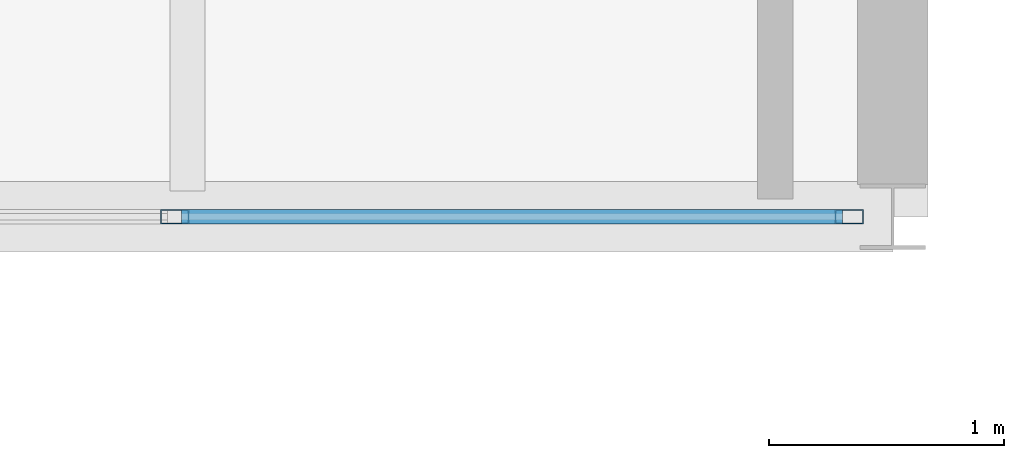
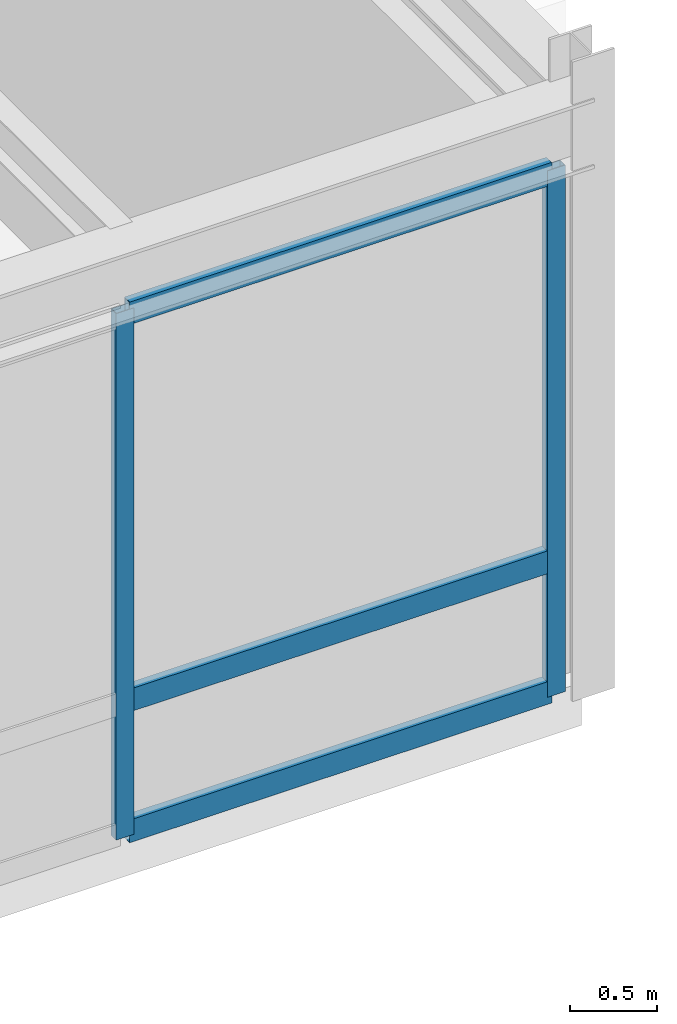
# One storey, part 81 of 142: 5 members, 1 element without a shape of its own.
"""IFC4 building model written with IfcOpenShell, lengths in metres."""

from ifc_helpers import new_model, si_unit, direction, frame, origin, origin_2d, place, context, subcontext, project, spatial, hollow_rectangle, extrude, material, layer, layer_set, material_profile, profile_set, type_object, element, aggregate, save


model = new_model("IFC4")

# Units and contexts
model_context = context("Model", 3, precision=1e-05, world=origin(), true_north=direction((0.0, 1.0)))
body_context = subcontext(model_context, "Body", "Model", "MODEL_VIEW")
ifc_project = project(units=[si_unit("LENGTHUNIT", "METRE"), si_unit("AREAUNIT", "SQUARE_METRE"), si_unit("VOLUMEUNIT", "CUBIC_METRE"), si_unit("PLANEANGLEUNIT", "RADIAN"), si_unit("MASSUNIT", "GRAM", prefix="KILO")], contexts=[model_context])

# Site, building, storey
site_placement = place(None, origin())
site = spatial("IfcSite", under=ifc_project, at=site_placement, CompositionType="ELEMENT")
building_placement = place(site_placement, origin())
building = spatial("IfcBuilding", under=site, at=building_placement, Name="Montelvaro Courts of Justice", CompositionType="ELEMENT")
storey_placement = place(building_placement, frame((0.0, 0.0, 14.39990234375)))
storey = spatial("IfcBuildingStorey", under=building, at=storey_placement, Name="L03", CompositionType="ELEMENT", Elevation=14.39990234375)

# Curtain wall, members
ifc_material = material(Name="Anodised aluminium EN AW-6063", Category="aluminium")
ifc_layer = layer(ifc_material, 0.159912109375)
ifc_layer_set = layer_set([ifc_layer], Name="Anodised aluminium EN AW-6063")
curtain_wall_type = type_object("IfcCurtainWallType", Name="CurtainWall_18_868x418", PredefinedType="USERDEFINED", material=ifc_layer_set)
curtain_wall_placement = place(storey_placement, origin())
curtain_wall = element("IfcCurtainWall", 1, at=curtain_wall_placement, inside=storey, type_object=curtain_wall_type, Name="Curtain Wall CW-18 (L03)", ObjectType="CURTAIN WALL", PredefinedType="USERDEFINED")
ifc_material_profile_1 = material_profile(ifc_material, hollow_rectangle(XDim=0.06005859375, YDim=0.1201171875, WallThickness=0.00341796875, at=origin_2d()), Name="ALU-M 60x120")
ifc_profile_set_1 = profile_set([ifc_material_profile_1], Name="Anodised aluminium EN AW-6063")
member_type_1 = type_object("IfcMemberType", Name="CurtainWall_Mullion_60x120", PredefinedType="MULLION", material=ifc_profile_set_1)
member_1_placement = place(storey_placement, frame((131.945068359375, 66.0, 0.0), z_axis=(0.0, 0.0, 1.0), x_axis=(0.0, 1.0, 0.0)))
member_1 = element("IfcMember", 2, at=member_1_placement, type_object=member_type_1, Name="CW-18 mullion 3", PredefinedType="MULLION", context=body_context, shape_type="SweptSolid", body=[
    extrude(hollow_rectangle(XDim=0.06005859375, YDim=0.1201171875, WallThickness=0.00341796875, at=origin_2d()), origin(), (0.0, 0.0, 1.0), 3.705078125),
])
member_2_placement = place(storey_placement, frame((134.81494140625, 66.0, 0.0), z_axis=(0.0, 0.0, 1.0), x_axis=(0.0, 1.0, 0.0)))
member_2 = element("IfcMember", 3, at=member_2_placement, type_object=member_type_1, Name="CW-18 mullion 4", PredefinedType="MULLION", context=body_context, shape_type="SweptSolid", body=[
    extrude(hollow_rectangle(XDim=0.06005859375, YDim=0.1201171875, WallThickness=0.00341796875, at=origin_2d()), origin(), (0.0, 0.0, 1.0), 3.705078125),
])
ifc_material_profile_2 = material_profile(ifc_material, hollow_rectangle(XDim=0.06005859375, YDim=0.159912109375, WallThickness=0.00439453125, at=origin_2d()), Name="ALU-T 60x160")
ifc_profile_set_2 = profile_set([ifc_material_profile_2], Name="Anodised aluminium EN AW-6063")
member_type_2 = type_object("IfcMemberType", Name="CurtainWall_Transom_60x160", PredefinedType="USERDEFINED", material=ifc_profile_set_2)
member_3_placement = place(storey_placement, frame((131.97509765625, 66.0, 0.030029296875), z_axis=(1.0, 0.0, 0.0), x_axis=(0.0, 1.0, 0.0)))
member_3 = element("IfcMember", 4, at=member_3_placement, type_object=member_type_2, Name="CW-18 transom 3.1", ObjectType="TRANSOM", PredefinedType="USERDEFINED", context=body_context, shape_type="SweptSolid", body=[
    extrude(hollow_rectangle(XDim=0.06005859375, YDim=0.159912109375, WallThickness=0.00439453125, at=origin_2d()), origin(), (0.0, 0.0, 1.0), 2.809814453125),
])
member_4_placement = place(storey_placement, frame((131.97509765625, 66.0, 0.9501953125), z_axis=(1.0, 0.0, 0.0), x_axis=(0.0, 1.0, 0.0)))
member_4 = element("IfcMember", 5, at=member_4_placement, type_object=member_type_2, Name="CW-18 transom 3.2", ObjectType="TRANSOM", PredefinedType="USERDEFINED", context=body_context, shape_type="SweptSolid", body=[
    extrude(hollow_rectangle(XDim=0.06005859375, YDim=0.159912109375, WallThickness=0.00439453125, at=origin_2d()), origin(), (0.0, 0.0, 1.0), 2.809814453125),
])
member_5_placement = place(storey_placement, frame((131.97509765625, 66.0, 3.675048828125), z_axis=(1.0, 0.0, 0.0), x_axis=(0.0, 1.0, 0.0)))
member_5 = element("IfcMember", 6, at=member_5_placement, type_object=member_type_2, Name="CW-18 transom 3.3", ObjectType="TRANSOM", PredefinedType="USERDEFINED", context=body_context, shape_type="SweptSolid", body=[
    extrude(hollow_rectangle(XDim=0.06005859375, YDim=0.159912109375, WallThickness=0.00439453125, at=origin_2d()), origin(), (0.0, 0.0, 1.0), 2.809814453125),
])
aggregate(curtain_wall, [member_1, member_2, member_3, member_4, member_5])

save(model, "model.ifc")
